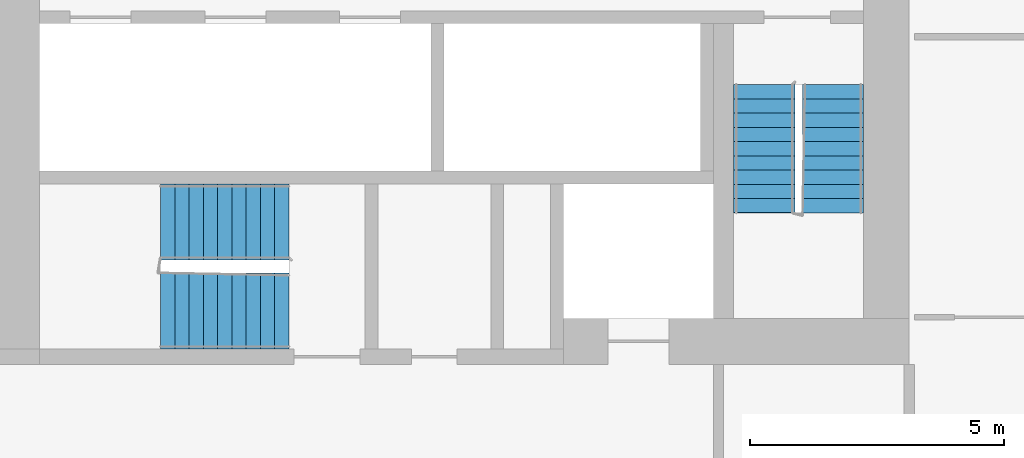
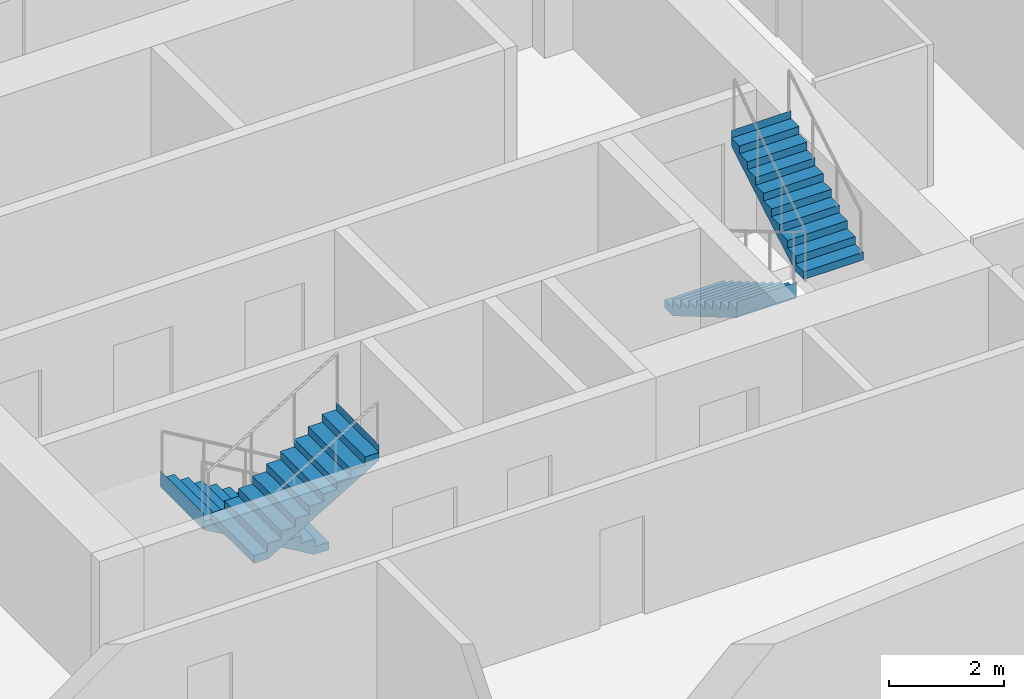
# One storey, part 9 of 12: 4 stair flights, 2 elements without a shape of their own.
"""IFC4 building model written with IfcOpenShell, lengths in metres."""

from ifc_helpers import new_model, si_unit, direction, frame, origin, place, context, subcontext, project, spatial, faceted_brep, material, type_object, element, aggregate, save


model = new_model("IFC4")

# Units and contexts
model_context = context("Model", 3, precision=1e-05, world=origin(), true_north=direction((0.0, 1.0)))
body_context = subcontext(model_context, "Body", "Model", "MODEL_VIEW")
ifc_project = project(units=[si_unit("LENGTHUNIT", "METRE"), si_unit("AREAUNIT", "SQUARE_METRE"), si_unit("VOLUMEUNIT", "CUBIC_METRE"), si_unit("PLANEANGLEUNIT", "RADIAN"), si_unit("MASSUNIT", "GRAM", prefix="KILO")], contexts=[model_context])

# Site, building, storey
site_placement = place(None, origin())
site = spatial("IfcSite", under=ifc_project, at=site_placement, CompositionType="ELEMENT")
building_placement = place(site_placement, origin())
building = spatial("IfcBuilding", under=site, at=building_placement, Name="Kajstack Hotel Tower", CompositionType="ELEMENT")
storey_placement = place(building_placement, frame((0.0, 0.0, 133.89990234375)))
storey = spatial("IfcBuildingStorey", under=building, at=storey_placement, Name="L30", CompositionType="ELEMENT", Elevation=133.89990234375)

# Stair, stair flights
ifc_material = material(Name="Concrete C40/50", Category="concrete")
stair_type_1 = type_object("IfcStairType", Name="Exit stair 1200", PredefinedType="HALF_TURN_STAIR", material=ifc_material)
stair_1_placement = place(storey_placement, origin())
stair_1 = element("IfcStair", 1, at=stair_1_placement, inside=storey, type_object=stair_type_1, Name="L30 stair W2", PredefinedType="HALF_TURN_STAIR")
stair_flight_type_1 = type_object("IfcStairFlightType", Name="Exit stair flight 1200", PredefinedType="STRAIGHT", material=ifc_material)
stair_flight_1_placement = place(storey_placement, frame((-16.35009765625, -10.0, 0.0), z_axis=(0.0, 0.0, 1.0), x_axis=(0.0, -1.0, 0.0)))
stair_flight_1 = element("IfcStairFlight", 2, at=stair_flight_1_placement, type_object=stair_flight_type_1, Name="W2 flight 1", NumberOfRisers=10, NumberOfTreads=9, PredefinedType="STRAIGHT", RiserHeight=0.165, TreadLength=0.28, context=body_context, shape_type="Brep", body=[
    faceted_brep([(0.295654296875, -0.60009765625, 0.0), (2.5205078125, -0.60009765625, 1.31103515625), (2.5205078125, -0.60009765625, 1.64990234375), (2.52001953125, -0.60009765625, 1.64990234375), (2.52001953125, -0.60009765625, 1.485107421875), (2.239990234375, -0.60009765625, 1.485107421875), (2.239990234375, -0.60009765625, 1.320068359375), (1.9599609375, -0.60009765625, 1.320068359375), (1.9599609375, -0.60009765625, 1.155029296875), (1.679931640625, -0.60009765625, 1.155029296875), (1.679931640625, -0.60009765625, 0.989990234375), (1.39990234375, -0.60009765625, 0.989990234375), (1.39990234375, -0.60009765625, 0.824951171875), (1.1201171875, -0.60009765625, 0.824951171875), (1.1201171875, -0.60009765625, 0.659912109375), (0.840087890625, -0.60009765625, 0.659912109375), (0.840087890625, -0.60009765625, 0.4951171875), (0.56005859375, -0.60009765625, 0.4951171875), (0.56005859375, -0.60009765625, 0.330078125), (0.280029296875, -0.60009765625, 0.330078125), (0.280029296875, -0.60009765625, 0.1650390625), (-0.00048828125, -0.60009765625, 0.1650390625), (-0.00048828125, -0.60009765625, 0.0), (-0.00048828125, 0.60009765625, 0.0), (-0.00048828125, 0.60009765625, 0.1650390625), (0.280029296875, 0.60009765625, 0.1650390625), (0.280029296875, 0.60009765625, 0.330078125), (0.56005859375, 0.60009765625, 0.330078125), (0.56005859375, 0.60009765625, 0.4951171875), (0.840087890625, 0.60009765625, 0.4951171875), (0.840087890625, 0.60009765625, 0.659912109375), (1.1201171875, 0.60009765625, 0.659912109375), (1.1201171875, 0.60009765625, 0.824951171875), (1.39990234375, 0.60009765625, 0.824951171875), (1.39990234375, 0.60009765625, 0.989990234375), (1.679931640625, 0.60009765625, 0.989990234375), (1.679931640625, 0.60009765625, 1.155029296875), (1.9599609375, 0.60009765625, 1.155029296875), (1.9599609375, 0.60009765625, 1.320068359375), (2.239990234375, 0.60009765625, 1.320068359375), (2.239990234375, 0.60009765625, 1.485107421875), (2.52001953125, 0.60009765625, 1.485107421875), (2.52001953125, 0.60009765625, 1.64990234375), (2.5205078125, 0.60009765625, 1.64990234375), (2.5205078125, 0.60009765625, 1.31103515625), (0.295654296875, 0.60009765625, 0.0), (-0.00048828125, -0.300048828125, 0.1650390625), (-0.00048828125, 0.0, 0.1650390625), (-0.00048828125, 0.300048828125, 0.1650390625), (-0.00048828125, 0.300048828125, 0.0), (-0.00048828125, 0.0, 0.0), (-0.00048828125, -0.300048828125, 0.0), (0.280029296875, -0.300048828125, 0.1650390625), (0.280029296875, 0.0, 0.1650390625), (0.280029296875, 0.300048828125, 0.1650390625), (0.280029296875, -0.300048828125, 0.330078125), (0.280029296875, 0.0, 0.330078125), (0.280029296875, 0.300048828125, 0.330078125), (0.56005859375, -0.300048828125, 0.330078125), (0.56005859375, 0.0, 0.330078125), (0.56005859375, 0.300048828125, 0.330078125), (0.56005859375, -0.300048828125, 0.4951171875), (0.56005859375, 0.0, 0.4951171875), (0.56005859375, 0.300048828125, 0.4951171875), (0.840087890625, -0.300048828125, 0.4951171875), (0.840087890625, 0.0, 0.4951171875), (0.840087890625, 0.300048828125, 0.4951171875), (0.840087890625, -0.300048828125, 0.659912109375), (0.840087890625, 0.0, 0.659912109375), (0.840087890625, 0.300048828125, 0.659912109375), (1.1201171875, -0.300048828125, 0.659912109375), (1.1201171875, 0.0, 0.659912109375), (1.1201171875, 0.300048828125, 0.659912109375), (1.1201171875, -0.300048828125, 0.824951171875), (1.1201171875, 0.0, 0.824951171875), (1.1201171875, 0.300048828125, 0.824951171875), (1.39990234375, -0.300048828125, 0.824951171875), (1.39990234375, 0.0, 0.824951171875), (1.39990234375, 0.300048828125, 0.824951171875), (1.39990234375, -0.300048828125, 0.989990234375), (1.39990234375, 0.0, 0.989990234375), (1.39990234375, 0.300048828125, 0.989990234375), (1.679931640625, -0.300048828125, 0.989990234375), (1.679931640625, 0.0, 0.989990234375), (1.679931640625, 0.300048828125, 0.989990234375), (1.679931640625, -0.300048828125, 1.155029296875), (1.679931640625, 0.0, 1.155029296875), (1.679931640625, 0.300048828125, 1.155029296875), (1.9599609375, -0.300048828125, 1.155029296875), (1.9599609375, 0.0, 1.155029296875), (1.9599609375, 0.300048828125, 1.155029296875), (1.9599609375, -0.300048828125, 1.320068359375), (1.9599609375, 0.0, 1.320068359375), (1.9599609375, 0.300048828125, 1.320068359375), (2.239990234375, -0.300048828125, 1.320068359375), (2.239990234375, 0.0, 1.320068359375), (2.239990234375, 0.300048828125, 1.320068359375), (2.239990234375, -0.300048828125, 1.485107421875), (2.239990234375, 0.0, 1.485107421875), (2.239990234375, 0.300048828125, 1.485107421875), (2.52001953125, -0.300048828125, 1.485107421875), (2.52001953125, 0.0, 1.485107421875), (2.52001953125, 0.300048828125, 1.485107421875), (2.52001953125, -0.300048828125, 1.64990234375), (2.52001953125, 0.0, 1.64990234375), (2.52001953125, 0.300048828125, 1.64990234375), (2.5205078125, -0.300048828125, 1.64990234375), (2.5205078125, 0.0, 1.64990234375), (2.5205078125, 0.300048828125, 1.64990234375), (2.5205078125, -0.300048828125, 1.31103515625), (2.5205078125, 0.0, 1.31103515625), (2.5205078125, 0.300048828125, 1.31103515625), (0.295654296875, -0.300048828125, 0.0), (0.295654296875, 0.0, 0.0), (0.295654296875, 0.300048828125, 0.0)], [[[0, 1, 2, 3, 4, 5, 6, 7, 8, 9, 10, 11, 12, 13, 14, 15, 16, 17, 18, 19, 20, 21, 22]], [[23, 24, 25, 26, 27, 28, 29, 30, 31, 32, 33, 34, 35, 36, 37, 38, 39, 40, 41, 42, 43, 44, 45]], [[21, 46, 47, 48, 24, 23, 49, 50, 51, 22]], [[20, 52, 53, 54, 25, 24, 48, 47, 46, 21]], [[19, 55, 56, 57, 26, 25, 54, 53, 52, 20]], [[18, 58, 59, 60, 27, 26, 57, 56, 55, 19]], [[17, 61, 62, 63, 28, 27, 60, 59, 58, 18]], [[16, 64, 65, 66, 29, 28, 63, 62, 61, 17]], [[15, 67, 68, 69, 30, 29, 66, 65, 64, 16]], [[14, 70, 71, 72, 31, 30, 69, 68, 67, 15]], [[13, 73, 74, 75, 32, 31, 72, 71, 70, 14]], [[12, 76, 77, 78, 33, 32, 75, 74, 73, 13]], [[11, 79, 80, 81, 34, 33, 78, 77, 76, 12]], [[10, 82, 83, 84, 35, 34, 81, 80, 79, 11]], [[9, 85, 86, 87, 36, 35, 84, 83, 82, 10]], [[8, 88, 89, 90, 37, 36, 87, 86, 85, 9]], [[7, 91, 92, 93, 38, 37, 90, 89, 88, 8]], [[6, 94, 95, 96, 39, 38, 93, 92, 91, 7]], [[5, 97, 98, 99, 40, 39, 96, 95, 94, 6]], [[4, 100, 101, 102, 41, 40, 99, 98, 97, 5]], [[3, 103, 104, 105, 42, 41, 102, 101, 100, 4]], [[2, 106, 107, 108, 43, 42, 105, 104, 103, 3]], [[1, 109, 110, 111, 44, 43, 108, 107, 106, 2]], [[0, 112, 113, 114, 45, 44, 111, 110, 109, 1]], [[22, 51, 50, 49, 23, 45, 114, 113, 112, 0]]]),
])
stair_flight_2_placement = place(storey_placement, frame((-15.0, -12.52001953125, 1.650146484375), z_axis=(0.0, 0.0, 1.0), x_axis=(0.0, 1.0, 0.0)))
stair_flight_2 = element("IfcStairFlight", 3, at=stair_flight_2_placement, type_object=stair_flight_type_1, Name="W2 flight 2", NumberOfRisers=10, NumberOfTreads=9, PredefinedType="STRAIGHT", RiserHeight=0.165, TreadLength=0.28, context=body_context, shape_type="Brep", body=[
    faceted_brep([(0.295654296875, -0.60009765625, 0.0), (2.5205078125, -0.60009765625, 1.31103515625), (2.5205078125, -0.60009765625, 1.64990234375), (2.52001953125, -0.60009765625, 1.64990234375), (2.52001953125, -0.60009765625, 1.485107421875), (2.239990234375, -0.60009765625, 1.485107421875), (2.239990234375, -0.60009765625, 1.320068359375), (1.9599609375, -0.60009765625, 1.320068359375), (1.9599609375, -0.60009765625, 1.155029296875), (1.679931640625, -0.60009765625, 1.155029296875), (1.679931640625, -0.60009765625, 0.989990234375), (1.39990234375, -0.60009765625, 0.989990234375), (1.39990234375, -0.60009765625, 0.824951171875), (1.1201171875, -0.60009765625, 0.824951171875), (1.1201171875, -0.60009765625, 0.659912109375), (0.840087890625, -0.60009765625, 0.659912109375), (0.840087890625, -0.60009765625, 0.4951171875), (0.56005859375, -0.60009765625, 0.4951171875), (0.56005859375, -0.60009765625, 0.330078125), (0.280029296875, -0.60009765625, 0.330078125), (0.280029296875, -0.60009765625, 0.1650390625), (-0.00048828125, -0.60009765625, 0.1650390625), (-0.00048828125, -0.60009765625, 0.0), (-0.00048828125, 0.60009765625, 0.0), (-0.00048828125, 0.60009765625, 0.1650390625), (0.280029296875, 0.60009765625, 0.1650390625), (0.280029296875, 0.60009765625, 0.330078125), (0.56005859375, 0.60009765625, 0.330078125), (0.56005859375, 0.60009765625, 0.4951171875), (0.840087890625, 0.60009765625, 0.4951171875), (0.840087890625, 0.60009765625, 0.659912109375), (1.1201171875, 0.60009765625, 0.659912109375), (1.1201171875, 0.60009765625, 0.824951171875), (1.39990234375, 0.60009765625, 0.824951171875), (1.39990234375, 0.60009765625, 0.989990234375), (1.679931640625, 0.60009765625, 0.989990234375), (1.679931640625, 0.60009765625, 1.155029296875), (1.9599609375, 0.60009765625, 1.155029296875), (1.9599609375, 0.60009765625, 1.320068359375), (2.239990234375, 0.60009765625, 1.320068359375), (2.239990234375, 0.60009765625, 1.485107421875), (2.52001953125, 0.60009765625, 1.485107421875), (2.52001953125, 0.60009765625, 1.64990234375), (2.5205078125, 0.60009765625, 1.64990234375), (2.5205078125, 0.60009765625, 1.31103515625), (0.295654296875, 0.60009765625, 0.0), (-0.00048828125, -0.300048828125, 0.1650390625), (-0.00048828125, 0.0, 0.1650390625), (-0.00048828125, 0.300048828125, 0.1650390625), (-0.00048828125, 0.300048828125, 0.0), (-0.00048828125, 0.0, 0.0), (-0.00048828125, -0.300048828125, 0.0), (0.280029296875, -0.300048828125, 0.1650390625), (0.280029296875, 0.0, 0.1650390625), (0.280029296875, 0.300048828125, 0.1650390625), (0.280029296875, -0.300048828125, 0.330078125), (0.280029296875, 0.0, 0.330078125), (0.280029296875, 0.300048828125, 0.330078125), (0.56005859375, -0.300048828125, 0.330078125), (0.56005859375, 0.0, 0.330078125), (0.56005859375, 0.300048828125, 0.330078125), (0.56005859375, -0.300048828125, 0.4951171875), (0.56005859375, 0.0, 0.4951171875), (0.56005859375, 0.300048828125, 0.4951171875), (0.840087890625, -0.300048828125, 0.4951171875), (0.840087890625, 0.0, 0.4951171875), (0.840087890625, 0.300048828125, 0.4951171875), (0.840087890625, -0.300048828125, 0.659912109375), (0.840087890625, 0.0, 0.659912109375), (0.840087890625, 0.300048828125, 0.659912109375), (1.1201171875, -0.300048828125, 0.659912109375), (1.1201171875, 0.0, 0.659912109375), (1.1201171875, 0.300048828125, 0.659912109375), (1.1201171875, -0.300048828125, 0.824951171875), (1.1201171875, 0.0, 0.824951171875), (1.1201171875, 0.300048828125, 0.824951171875), (1.39990234375, -0.300048828125, 0.824951171875), (1.39990234375, 0.0, 0.824951171875), (1.39990234375, 0.300048828125, 0.824951171875), (1.39990234375, -0.300048828125, 0.989990234375), (1.39990234375, 0.0, 0.989990234375), (1.39990234375, 0.300048828125, 0.989990234375), (1.679931640625, -0.300048828125, 0.989990234375), (1.679931640625, 0.0, 0.989990234375), (1.679931640625, 0.300048828125, 0.989990234375), (1.679931640625, -0.300048828125, 1.155029296875), (1.679931640625, 0.0, 1.155029296875), (1.679931640625, 0.300048828125, 1.155029296875), (1.9599609375, -0.300048828125, 1.155029296875), (1.9599609375, 0.0, 1.155029296875), (1.9599609375, 0.300048828125, 1.155029296875), (1.9599609375, -0.300048828125, 1.320068359375), (1.9599609375, 0.0, 1.320068359375), (1.9599609375, 0.300048828125, 1.320068359375), (2.239990234375, -0.300048828125, 1.320068359375), (2.239990234375, 0.0, 1.320068359375), (2.239990234375, 0.300048828125, 1.320068359375), (2.239990234375, -0.300048828125, 1.485107421875), (2.239990234375, 0.0, 1.485107421875), (2.239990234375, 0.300048828125, 1.485107421875), (2.52001953125, -0.300048828125, 1.485107421875), (2.52001953125, 0.0, 1.485107421875), (2.52001953125, 0.300048828125, 1.485107421875), (2.52001953125, -0.300048828125, 1.64990234375), (2.52001953125, 0.0, 1.64990234375), (2.52001953125, 0.300048828125, 1.64990234375), (2.5205078125, -0.300048828125, 1.64990234375), (2.5205078125, 0.0, 1.64990234375), (2.5205078125, 0.300048828125, 1.64990234375), (2.5205078125, -0.300048828125, 1.31103515625), (2.5205078125, 0.0, 1.31103515625), (2.5205078125, 0.300048828125, 1.31103515625), (0.295654296875, -0.300048828125, 0.0), (0.295654296875, 0.0, 0.0), (0.295654296875, 0.300048828125, 0.0)], [[[0, 1, 2, 3, 4, 5, 6, 7, 8, 9, 10, 11, 12, 13, 14, 15, 16, 17, 18, 19, 20, 21, 22]], [[23, 24, 25, 26, 27, 28, 29, 30, 31, 32, 33, 34, 35, 36, 37, 38, 39, 40, 41, 42, 43, 44, 45]], [[21, 46, 47, 48, 24, 23, 49, 50, 51, 22]], [[20, 52, 53, 54, 25, 24, 48, 47, 46, 21]], [[19, 55, 56, 57, 26, 25, 54, 53, 52, 20]], [[18, 58, 59, 60, 27, 26, 57, 56, 55, 19]], [[17, 61, 62, 63, 28, 27, 60, 59, 58, 18]], [[16, 64, 65, 66, 29, 28, 63, 62, 61, 17]], [[15, 67, 68, 69, 30, 29, 66, 65, 64, 16]], [[14, 70, 71, 72, 31, 30, 69, 68, 67, 15]], [[13, 73, 74, 75, 32, 31, 72, 71, 70, 14]], [[12, 76, 77, 78, 33, 32, 75, 74, 73, 13]], [[11, 79, 80, 81, 34, 33, 78, 77, 76, 12]], [[10, 82, 83, 84, 35, 34, 81, 80, 79, 11]], [[9, 85, 86, 87, 36, 35, 84, 83, 82, 10]], [[8, 88, 89, 90, 37, 36, 87, 86, 85, 9]], [[7, 91, 92, 93, 38, 37, 90, 89, 88, 8]], [[6, 94, 95, 96, 39, 38, 93, 92, 91, 7]], [[5, 97, 98, 99, 40, 39, 96, 95, 94, 6]], [[4, 100, 101, 102, 41, 40, 99, 98, 97, 5]], [[3, 103, 104, 105, 42, 41, 102, 101, 100, 4]], [[2, 106, 107, 108, 43, 42, 105, 104, 103, 3]], [[1, 109, 110, 111, 44, 43, 108, 107, 106, 2]], [[0, 112, 113, 114, 45, 44, 111, 110, 109, 1]], [[22, 51, 50, 49, 23, 45, 114, 113, 112, 0]]]),
])
aggregate(stair_1, [stair_flight_1, stair_flight_2])

stair_type_2 = type_object("IfcStairType", Name="Exit stair 1500", PredefinedType="HALF_TURN_STAIR", material=ifc_material)
stair_2_placement = place(storey_placement, origin())
stair_2 = element("IfcStair", 4, at=stair_2_placement, inside=storey, type_object=stair_type_2, Name="L30 stair W3", PredefinedType="HALF_TURN_STAIR")
stair_flight_type_2 = type_object("IfcStairFlightType", Name="Exit stair flight 1500", PredefinedType="STRAIGHT", material=ifc_material)
stair_flight_3_placement = place(storey_placement, frame((-25.699951171875, -12.699951171875, 0.0), z_axis=(0.0, 0.0, 1.0), x_axis=(-1.0, 0.0, 0.0)))
stair_flight_3 = element("IfcStairFlight", 5, at=stair_flight_3_placement, type_object=stair_flight_type_2, Name="W3 flight 1", NumberOfRisers=10, NumberOfTreads=9, PredefinedType="STRAIGHT", RiserHeight=0.165, TreadLength=0.28, context=body_context, shape_type="Brep", body=[
    faceted_brep([(0.295654296875, -0.75, 0.0), (2.5205078125, -0.75, 1.31103515625), (2.5205078125, -0.75, 1.64990234375), (2.52001953125, -0.75, 1.64990234375), (2.52001953125, -0.75, 1.485107421875), (2.239990234375, -0.75, 1.485107421875), (2.239990234375, -0.75, 1.320068359375), (1.9599609375, -0.75, 1.320068359375), (1.9599609375, -0.75, 1.155029296875), (1.679931640625, -0.75, 1.155029296875), (1.679931640625, -0.75, 0.989990234375), (1.39990234375, -0.75, 0.989990234375), (1.39990234375, -0.75, 0.824951171875), (1.1201171875, -0.75, 0.824951171875), (1.1201171875, -0.75, 0.659912109375), (0.840087890625, -0.75, 0.659912109375), (0.840087890625, -0.75, 0.4951171875), (0.56005859375, -0.75, 0.4951171875), (0.56005859375, -0.75, 0.330078125), (0.280029296875, -0.75, 0.330078125), (0.280029296875, -0.75, 0.1650390625), (-0.00048828125, -0.75, 0.1650390625), (-0.00048828125, -0.75, 0.0), (-0.00048828125, 0.75, 0.0), (-0.00048828125, 0.75, 0.1650390625), (0.280029296875, 0.75, 0.1650390625), (0.280029296875, 0.75, 0.330078125), (0.56005859375, 0.75, 0.330078125), (0.56005859375, 0.75, 0.4951171875), (0.840087890625, 0.75, 0.4951171875), (0.840087890625, 0.75, 0.659912109375), (1.1201171875, 0.75, 0.659912109375), (1.1201171875, 0.75, 0.824951171875), (1.39990234375, 0.75, 0.824951171875), (1.39990234375, 0.75, 0.989990234375), (1.679931640625, 0.75, 0.989990234375), (1.679931640625, 0.75, 1.155029296875), (1.9599609375, 0.75, 1.155029296875), (1.9599609375, 0.75, 1.320068359375), (2.239990234375, 0.75, 1.320068359375), (2.239990234375, 0.75, 1.485107421875), (2.52001953125, 0.75, 1.485107421875), (2.52001953125, 0.75, 1.64990234375), (2.5205078125, 0.75, 1.64990234375), (2.5205078125, 0.75, 1.31103515625), (0.295654296875, 0.75, 0.0), (-0.00048828125, -0.375, 0.1650390625), (-0.00048828125, 0.0, 0.1650390625), (-0.00048828125, 0.375, 0.1650390625), (-0.00048828125, 0.375, 0.0), (-0.00048828125, 0.0, 0.0), (-0.00048828125, -0.375, 0.0), (0.280029296875, -0.375, 0.1650390625), (0.280029296875, 0.0, 0.1650390625), (0.280029296875, 0.375, 0.1650390625), (0.280029296875, -0.375, 0.330078125), (0.280029296875, 0.0, 0.330078125), (0.280029296875, 0.375, 0.330078125), (0.56005859375, -0.375, 0.330078125), (0.56005859375, 0.0, 0.330078125), (0.56005859375, 0.375, 0.330078125), (0.56005859375, -0.375, 0.4951171875), (0.56005859375, 0.0, 0.4951171875), (0.56005859375, 0.375, 0.4951171875), (0.840087890625, -0.375, 0.4951171875), (0.840087890625, 0.0, 0.4951171875), (0.840087890625, 0.375, 0.4951171875), (0.840087890625, -0.375, 0.659912109375), (0.840087890625, 0.0, 0.659912109375), (0.840087890625, 0.375, 0.659912109375), (1.1201171875, -0.375, 0.659912109375), (1.1201171875, 0.0, 0.659912109375), (1.1201171875, 0.375, 0.659912109375), (1.1201171875, -0.375, 0.824951171875), (1.1201171875, 0.0, 0.824951171875), (1.1201171875, 0.375, 0.824951171875), (1.39990234375, -0.375, 0.824951171875), (1.39990234375, 0.0, 0.824951171875), (1.39990234375, 0.375, 0.824951171875), (1.39990234375, -0.375, 0.989990234375), (1.39990234375, 0.0, 0.989990234375), (1.39990234375, 0.375, 0.989990234375), (1.679931640625, -0.375, 0.989990234375), (1.679931640625, 0.0, 0.989990234375), (1.679931640625, 0.375, 0.989990234375), (1.679931640625, -0.375, 1.155029296875), (1.679931640625, 0.0, 1.155029296875), (1.679931640625, 0.375, 1.155029296875), (1.9599609375, -0.375, 1.155029296875), (1.9599609375, 0.0, 1.155029296875), (1.9599609375, 0.375, 1.155029296875), (1.9599609375, -0.375, 1.320068359375), (1.9599609375, 0.0, 1.320068359375), (1.9599609375, 0.375, 1.320068359375), (2.239990234375, -0.375, 1.320068359375), (2.239990234375, 0.0, 1.320068359375), (2.239990234375, 0.375, 1.320068359375), (2.239990234375, -0.375, 1.485107421875), (2.239990234375, 0.0, 1.485107421875), (2.239990234375, 0.375, 1.485107421875), (2.52001953125, -0.375, 1.485107421875), (2.52001953125, 0.0, 1.485107421875), (2.52001953125, 0.375, 1.485107421875), (2.52001953125, -0.375, 1.64990234375), (2.52001953125, 0.0, 1.64990234375), (2.52001953125, 0.375, 1.64990234375), (2.5205078125, -0.375, 1.64990234375), (2.5205078125, 0.0, 1.64990234375), (2.5205078125, 0.375, 1.64990234375), (2.5205078125, -0.375, 1.31103515625), (2.5205078125, 0.0, 1.31103515625), (2.5205078125, 0.375, 1.31103515625), (0.295654296875, -0.375, 0.0), (0.295654296875, 0.0, 0.0), (0.295654296875, 0.375, 0.0)], [[[0, 1, 2, 3, 4, 5, 6, 7, 8, 9, 10, 11, 12, 13, 14, 15, 16, 17, 18, 19, 20, 21, 22]], [[23, 24, 25, 26, 27, 28, 29, 30, 31, 32, 33, 34, 35, 36, 37, 38, 39, 40, 41, 42, 43, 44, 45]], [[21, 46, 47, 48, 24, 23, 49, 50, 51, 22]], [[20, 52, 53, 54, 25, 24, 48, 47, 46, 21]], [[19, 55, 56, 57, 26, 25, 54, 53, 52, 20]], [[18, 58, 59, 60, 27, 26, 57, 56, 55, 19]], [[17, 61, 62, 63, 28, 27, 60, 59, 58, 18]], [[16, 64, 65, 66, 29, 28, 63, 62, 61, 17]], [[15, 67, 68, 69, 30, 29, 66, 65, 64, 16]], [[14, 70, 71, 72, 31, 30, 69, 68, 67, 15]], [[13, 73, 74, 75, 32, 31, 72, 71, 70, 14]], [[12, 76, 77, 78, 33, 32, 75, 74, 73, 13]], [[11, 79, 80, 81, 34, 33, 78, 77, 76, 12]], [[10, 82, 83, 84, 35, 34, 81, 80, 79, 11]], [[9, 85, 86, 87, 36, 35, 84, 83, 82, 10]], [[8, 88, 89, 90, 37, 36, 87, 86, 85, 9]], [[7, 91, 92, 93, 38, 37, 90, 89, 88, 8]], [[6, 94, 95, 96, 39, 38, 93, 92, 91, 7]], [[5, 97, 98, 99, 40, 39, 96, 95, 94, 6]], [[4, 100, 101, 102, 41, 40, 99, 98, 97, 5]], [[3, 103, 104, 105, 42, 41, 102, 101, 100, 4]], [[2, 106, 107, 108, 43, 42, 105, 104, 103, 3]], [[1, 109, 110, 111, 44, 43, 108, 107, 106, 2]], [[0, 112, 113, 114, 45, 44, 111, 110, 109, 1]], [[22, 51, 50, 49, 23, 45, 114, 113, 112, 0]]]),
])
stair_flight_4_placement = place(storey_placement, frame((-28.219970703125, -14.449951171875, 1.650146484375), z_axis=(0.0, 0.0, 1.0), x_axis=(1.0, 0.0, 0.0)))
stair_flight_4 = element("IfcStairFlight", 6, at=stair_flight_4_placement, type_object=stair_flight_type_2, Name="W3 flight 2", NumberOfRisers=10, NumberOfTreads=9, PredefinedType="STRAIGHT", RiserHeight=0.165, TreadLength=0.28, context=body_context, shape_type="Brep", body=[
    faceted_brep([(0.295654296875, -0.75, 0.0), (2.5205078125, -0.75, 1.31103515625), (2.5205078125, -0.75, 1.64990234375), (2.52001953125, -0.75, 1.64990234375), (2.52001953125, -0.75, 1.485107421875), (2.239990234375, -0.75, 1.485107421875), (2.239990234375, -0.75, 1.320068359375), (1.9599609375, -0.75, 1.320068359375), (1.9599609375, -0.75, 1.155029296875), (1.679931640625, -0.75, 1.155029296875), (1.679931640625, -0.75, 0.989990234375), (1.39990234375, -0.75, 0.989990234375), (1.39990234375, -0.75, 0.824951171875), (1.1201171875, -0.75, 0.824951171875), (1.1201171875, -0.75, 0.659912109375), (0.840087890625, -0.75, 0.659912109375), (0.840087890625, -0.75, 0.4951171875), (0.56005859375, -0.75, 0.4951171875), (0.56005859375, -0.75, 0.330078125), (0.280029296875, -0.75, 0.330078125), (0.280029296875, -0.75, 0.1650390625), (-0.00048828125, -0.75, 0.1650390625), (-0.00048828125, -0.75, 0.0), (-0.00048828125, 0.75, 0.0), (-0.00048828125, 0.75, 0.1650390625), (0.280029296875, 0.75, 0.1650390625), (0.280029296875, 0.75, 0.330078125), (0.56005859375, 0.75, 0.330078125), (0.56005859375, 0.75, 0.4951171875), (0.840087890625, 0.75, 0.4951171875), (0.840087890625, 0.75, 0.659912109375), (1.1201171875, 0.75, 0.659912109375), (1.1201171875, 0.75, 0.824951171875), (1.39990234375, 0.75, 0.824951171875), (1.39990234375, 0.75, 0.989990234375), (1.679931640625, 0.75, 0.989990234375), (1.679931640625, 0.75, 1.155029296875), (1.9599609375, 0.75, 1.155029296875), (1.9599609375, 0.75, 1.320068359375), (2.239990234375, 0.75, 1.320068359375), (2.239990234375, 0.75, 1.485107421875), (2.52001953125, 0.75, 1.485107421875), (2.52001953125, 0.75, 1.64990234375), (2.5205078125, 0.75, 1.64990234375), (2.5205078125, 0.75, 1.31103515625), (0.295654296875, 0.75, 0.0), (-0.00048828125, -0.375, 0.1650390625), (-0.00048828125, 0.0, 0.1650390625), (-0.00048828125, 0.375, 0.1650390625), (-0.00048828125, 0.375, 0.0), (-0.00048828125, 0.0, 0.0), (-0.00048828125, -0.375, 0.0), (0.280029296875, -0.375, 0.1650390625), (0.280029296875, 0.0, 0.1650390625), (0.280029296875, 0.375, 0.1650390625), (0.280029296875, -0.375, 0.330078125), (0.280029296875, 0.0, 0.330078125), (0.280029296875, 0.375, 0.330078125), (0.56005859375, -0.375, 0.330078125), (0.56005859375, 0.0, 0.330078125), (0.56005859375, 0.375, 0.330078125), (0.56005859375, -0.375, 0.4951171875), (0.56005859375, 0.0, 0.4951171875), (0.56005859375, 0.375, 0.4951171875), (0.840087890625, -0.375, 0.4951171875), (0.840087890625, 0.0, 0.4951171875), (0.840087890625, 0.375, 0.4951171875), (0.840087890625, -0.375, 0.659912109375), (0.840087890625, 0.0, 0.659912109375), (0.840087890625, 0.375, 0.659912109375), (1.1201171875, -0.375, 0.659912109375), (1.1201171875, 0.0, 0.659912109375), (1.1201171875, 0.375, 0.659912109375), (1.1201171875, -0.375, 0.824951171875), (1.1201171875, 0.0, 0.824951171875), (1.1201171875, 0.375, 0.824951171875), (1.39990234375, -0.375, 0.824951171875), (1.39990234375, 0.0, 0.824951171875), (1.39990234375, 0.375, 0.824951171875), (1.39990234375, -0.375, 0.989990234375), (1.39990234375, 0.0, 0.989990234375), (1.39990234375, 0.375, 0.989990234375), (1.679931640625, -0.375, 0.989990234375), (1.679931640625, 0.0, 0.989990234375), (1.679931640625, 0.375, 0.989990234375), (1.679931640625, -0.375, 1.155029296875), (1.679931640625, 0.0, 1.155029296875), (1.679931640625, 0.375, 1.155029296875), (1.9599609375, -0.375, 1.155029296875), (1.9599609375, 0.0, 1.155029296875), (1.9599609375, 0.375, 1.155029296875), (1.9599609375, -0.375, 1.320068359375), (1.9599609375, 0.0, 1.320068359375), (1.9599609375, 0.375, 1.320068359375), (2.239990234375, -0.375, 1.320068359375), (2.239990234375, 0.0, 1.320068359375), (2.239990234375, 0.375, 1.320068359375), (2.239990234375, -0.375, 1.485107421875), (2.239990234375, 0.0, 1.485107421875), (2.239990234375, 0.375, 1.485107421875), (2.52001953125, -0.375, 1.485107421875), (2.52001953125, 0.0, 1.485107421875), (2.52001953125, 0.375, 1.485107421875), (2.52001953125, -0.375, 1.64990234375), (2.52001953125, 0.0, 1.64990234375), (2.52001953125, 0.375, 1.64990234375), (2.5205078125, -0.375, 1.64990234375), (2.5205078125, 0.0, 1.64990234375), (2.5205078125, 0.375, 1.64990234375), (2.5205078125, -0.375, 1.31103515625), (2.5205078125, 0.0, 1.31103515625), (2.5205078125, 0.375, 1.31103515625), (0.295654296875, -0.375, 0.0), (0.295654296875, 0.0, 0.0), (0.295654296875, 0.375, 0.0)], [[[0, 1, 2, 3, 4, 5, 6, 7, 8, 9, 10, 11, 12, 13, 14, 15, 16, 17, 18, 19, 20, 21, 22]], [[23, 24, 25, 26, 27, 28, 29, 30, 31, 32, 33, 34, 35, 36, 37, 38, 39, 40, 41, 42, 43, 44, 45]], [[21, 46, 47, 48, 24, 23, 49, 50, 51, 22]], [[20, 52, 53, 54, 25, 24, 48, 47, 46, 21]], [[19, 55, 56, 57, 26, 25, 54, 53, 52, 20]], [[18, 58, 59, 60, 27, 26, 57, 56, 55, 19]], [[17, 61, 62, 63, 28, 27, 60, 59, 58, 18]], [[16, 64, 65, 66, 29, 28, 63, 62, 61, 17]], [[15, 67, 68, 69, 30, 29, 66, 65, 64, 16]], [[14, 70, 71, 72, 31, 30, 69, 68, 67, 15]], [[13, 73, 74, 75, 32, 31, 72, 71, 70, 14]], [[12, 76, 77, 78, 33, 32, 75, 74, 73, 13]], [[11, 79, 80, 81, 34, 33, 78, 77, 76, 12]], [[10, 82, 83, 84, 35, 34, 81, 80, 79, 11]], [[9, 85, 86, 87, 36, 35, 84, 83, 82, 10]], [[8, 88, 89, 90, 37, 36, 87, 86, 85, 9]], [[7, 91, 92, 93, 38, 37, 90, 89, 88, 8]], [[6, 94, 95, 96, 39, 38, 93, 92, 91, 7]], [[5, 97, 98, 99, 40, 39, 96, 95, 94, 6]], [[4, 100, 101, 102, 41, 40, 99, 98, 97, 5]], [[3, 103, 104, 105, 42, 41, 102, 101, 100, 4]], [[2, 106, 107, 108, 43, 42, 105, 104, 103, 3]], [[1, 109, 110, 111, 44, 43, 108, 107, 106, 2]], [[0, 112, 113, 114, 45, 44, 111, 110, 109, 1]], [[22, 51, 50, 49, 23, 45, 114, 113, 112, 0]]]),
])
aggregate(stair_2, [stair_flight_3, stair_flight_4])

save(model, "model.ifc")
